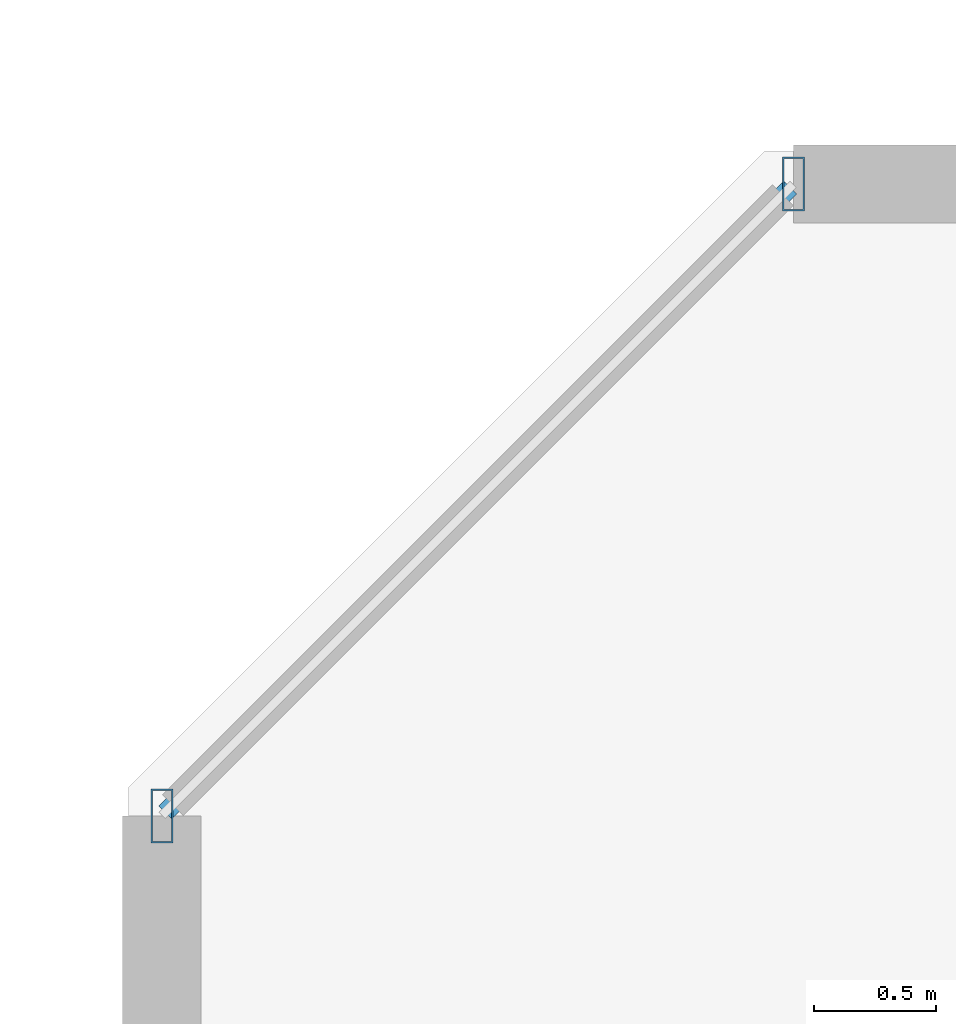
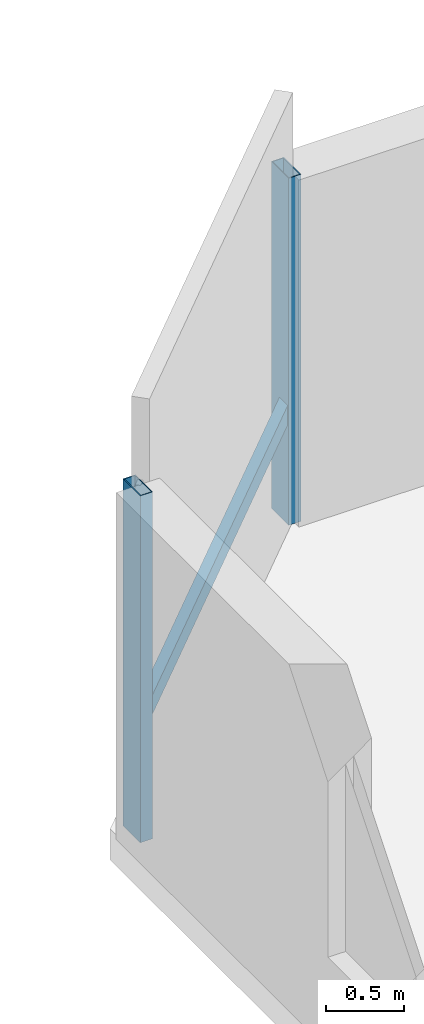
# One storey, part 15 of 33: 3 members, 1 element without a shape of its own.
"""IFC4 building model written with IfcOpenShell, lengths in metres."""

from ifc_helpers import new_model, si_unit, direction, frame, origin, origin_2d, place, context, subcontext, project, spatial, hollow_rectangle, extrude, material, material_profile, profile_set, type_object, element, aggregate, save


model = new_model("IFC4")

# Units and contexts
model_context = context("Model", 3, precision=1e-05, world=origin(), true_north=direction((0.0, 1.0)))
body_context = subcontext(model_context, "Body", "Model", "MODEL_VIEW")
ifc_project = project(units=[si_unit("LENGTHUNIT", "METRE"), si_unit("AREAUNIT", "SQUARE_METRE"), si_unit("VOLUMEUNIT", "CUBIC_METRE"), si_unit("PLANEANGLEUNIT", "RADIAN"), si_unit("MASSUNIT", "GRAM", prefix="KILO")], contexts=[model_context])

# Site, building, storey
site_placement = place(None, origin())
site = spatial("IfcSite", under=ifc_project, at=site_placement, CompositionType="ELEMENT")
building_placement = place(site_placement, origin())
building = spatial("IfcBuilding", under=site, at=building_placement, Name="Thornwick Lancets Civic Towers", CompositionType="ELEMENT")
storey_placement = place(building_placement, frame((0.0, 0.0, 105.300048828125)))
storey = spatial("IfcBuildingStorey", under=building, at=storey_placement, Name="L27", CompositionType="ELEMENT", Elevation=105.300048828125)

# Curtain wall, members
ifc_material_1 = material(Name="Low-zone chamfered-corner unitised glass curtain wall", Category="glass")
curtain_wall_type = type_object("IfcCurtainWallType", Name="CW_SYS_03", PredefinedType="NOTDEFINED", material=ifc_material_1)
curtain_wall_placement = place(storey_placement, origin())
curtain_wall = element("IfcCurtainWall", 1, at=curtain_wall_placement, inside=storey, type_object=curtain_wall_type, Name="L27 Curtain Wall CW-L27-B-E5", PredefinedType="NOTDEFINED")
ifc_material_2 = material(Name="Thermally broken bronze aluminium S355", Category="steel")
ifc_material_profile_1 = material_profile(ifc_material_2, hollow_rectangle(XDim=0.090087890625, YDim=0.219970703125, WallThickness=0.00634765625, at=origin_2d()), Name="RHS 220x90x6.3")
ifc_profile_set_1 = profile_set([ifc_material_profile_1], Name="Thermally broken bronze aluminium S355")
member_type_1 = type_object("IfcMemberType", Name="CW_MUL_220", PredefinedType="MULLION", material=ifc_profile_set_1)
member_1_placement = place(storey_placement, frame((67.11865234375, 44.964599609375, 0.0), z_axis=(0.0, 0.0, 1.0), x_axis=(1.0, 0.0, 0.0)))
member_1 = element("IfcMember", 2, at=member_1_placement, type_object=member_type_1, Name="CW-L27-B-E5 Mullion 0", PredefinedType="MULLION", context=body_context, shape_type="SweptSolid", body=[
    extrude(hollow_rectangle(XDim=0.090087890625, YDim=0.219970703125, WallThickness=0.00634765625, at=origin_2d()), origin(), (0.0, 0.0, 1.0), 2.699951171875),
])
member_2_placement = place(storey_placement, frame((64.535400390625, 42.38134765625, 0.0), z_axis=(0.0, 0.0, 1.0), x_axis=(1.0, 0.0, 0.0)))
member_2 = element("IfcMember", 3, at=member_2_placement, type_object=member_type_1, Name="CW-L27-B-E5 Mullion 1", PredefinedType="MULLION", context=body_context, shape_type="SweptSolid", body=[
    extrude(hollow_rectangle(XDim=0.090087890625, YDim=0.219970703125, WallThickness=0.00634765625, at=origin_2d()), origin(), (0.0, 0.0, 1.0), 2.699951171875),
])
ifc_material_profile_2 = material_profile(ifc_material_2, hollow_rectangle(XDim=0.074951171875, YDim=0.14990234375, WallThickness=0.0048828125, at=origin_2d()), Name="RHS 150x75x5")
ifc_profile_set_2 = profile_set([ifc_material_profile_2], Name="Thermally broken bronze aluminium S355")
member_type_2 = type_object("IfcMemberType", Name="CW_TRN_150", PredefinedType="USERDEFINED", material=ifc_profile_set_2)
member_3_placement = place(storey_placement, frame((67.1044921875, 44.95068359375, 0.849853515625), z_axis=(-0.707106781187, -0.707106781187, 0.0), x_axis=(0.707106781187, -0.707106781187, 0.0)))
member_3 = element("IfcMember", 4, at=member_3_placement, type_object=member_type_2, Name="CW-L27-B-E5 Transom 0", ObjectType="TRANSOM", PredefinedType="USERDEFINED", context=body_context, shape_type="SweptSolid", body=[
    extrude(hollow_rectangle(XDim=0.074951171875, YDim=0.14990234375, WallThickness=0.0048828125, at=origin_2d()), origin(), (0.0, 0.0, 1.0), 3.613525390625),
])
aggregate(curtain_wall, [member_1, member_2, member_3])

save(model, "model.ifc")
